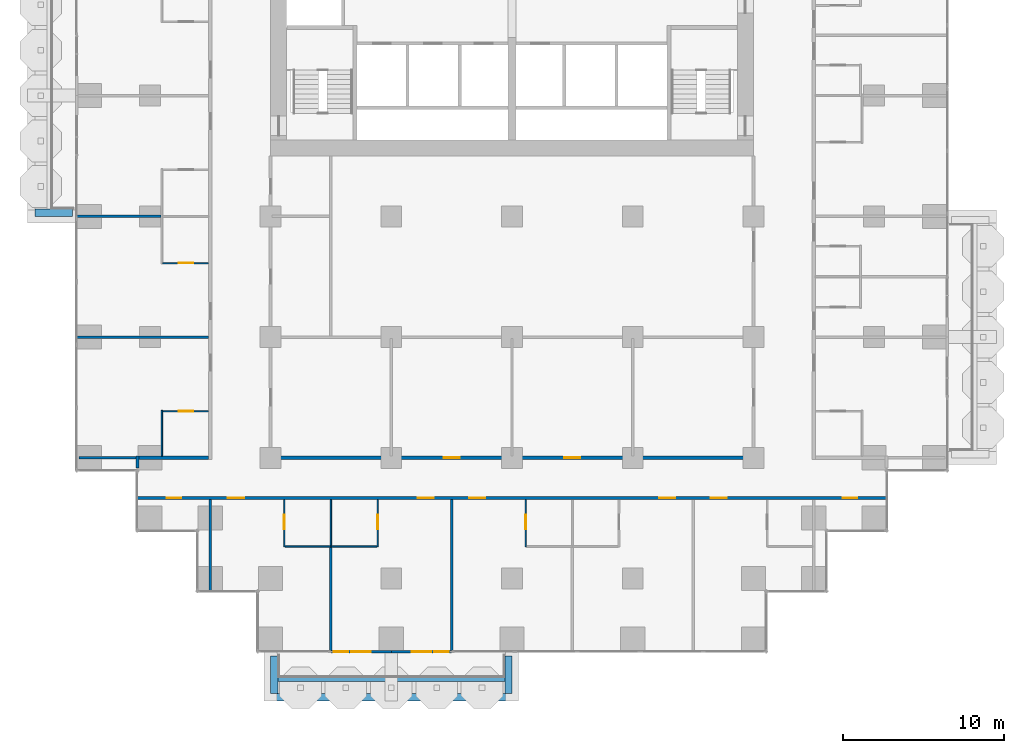
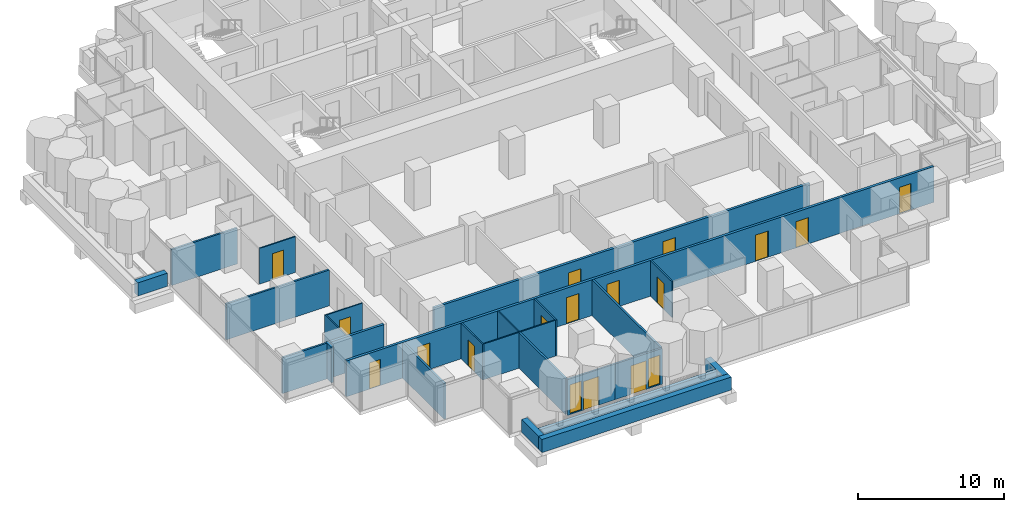
# One storey, part 10 of 18: 25 walls, 16 doors, 2 windows, 18 openings.
"""IFC4 building model written with IfcOpenShell, lengths in metres."""

from ifc_helpers import new_model, si_unit, direction, frame, frame_2d, origin, place, context, subcontext, project, spatial, rectangle, extrude, material, layer, layer_set, type_object, element, fill, save


model = new_model("IFC4")

# Units and contexts
model_context = context("Model", 3, precision=1e-05, world=origin(), true_north=direction((0.0, 1.0)))
body_context = subcontext(model_context, "Body", "Model", "MODEL_VIEW")
ifc_project = project(units=[si_unit("LENGTHUNIT", "METRE"), si_unit("AREAUNIT", "SQUARE_METRE"), si_unit("VOLUMEUNIT", "CUBIC_METRE"), si_unit("PLANEANGLEUNIT", "RADIAN"), si_unit("MASSUNIT", "GRAM", prefix="KILO")], contexts=[model_context])

# Site, building, storey
site_placement = place(None, origin())
site = spatial("IfcSite", under=ifc_project, at=site_placement, CompositionType="ELEMENT")
building_placement = place(site_placement, origin())
building = spatial("IfcBuilding", under=site, at=building_placement, Name="Pilkhan Gate Tower", CompositionType="ELEMENT")
storey_placement = place(building_placement, frame((0.0, 0.0, 56.0)))
storey = spatial("IfcBuildingStorey", under=building, at=storey_placement, Name="L11", CompositionType="ELEMENT", Elevation=56.0)

# Walls
ifc_material_1 = material(Name="Concrete C40/50", Category="concrete")
ifc_layer_1 = layer(ifc_material_1, 0.25)
ifc_layer_set_1 = layer_set([ifc_layer_1], Name="Balcony planter BP250")
wall_type_1 = type_object("IfcWallType", Name="Balcony planter BP250", PredefinedType="USERDEFINED", material=ifc_layer_set_1)
wall_1_placement = place(storey_placement, frame((60.449951171875, 38.72509765625, 0.0), z_axis=(0.0, 0.0, 1.0), x_axis=(1.0, 0.0, 0.0)))
element("IfcWall", 1, at=wall_1_placement, inside=storey, type_object=wall_type_1, Name="Balcony planter L11 S", ObjectType="BALCONY PLANTER", PredefinedType="USERDEFINED", context=body_context, shape_type="SweptSolid", body=[
    extrude(rectangle(XDim=14.10009765625, YDim=0.25, at=frame_2d((7.050048828125, 0.0))), origin(), (0.0, 0.0, 1.0), 1.0),
])
ifc_material_2 = material(Name="Board-marked Concrete C40/50", Category="concrete")
ifc_layer_2 = layer(ifc_material_2, 0.449951171875)
ifc_layer_set_2 = layer_set([ifc_layer_2], Name="Balcony planter lip BL450")
wall_type_2 = type_object("IfcWallType", Name="Balcony planter lip BL450", PredefinedType="USERDEFINED", material=ifc_layer_set_2)
wall_2_placement = place(storey_placement, frame((60.0, 37.625, 0.0), z_axis=(0.0, 0.0, 1.0), x_axis=(1.0, 0.0, 0.0)))
element("IfcWall", 2, at=wall_2_placement, inside=storey, type_object=wall_type_2, Name="Balcony planter L11 S", ObjectType="BALCONY PLANTER", PredefinedType="USERDEFINED", context=body_context, shape_type="SweptSolid", body=[
    extrude(rectangle(XDim=15.0, YDim=0.449951171875, at=frame_2d((7.5, 0.0))), origin(), (0.0, 0.0, 1.0), 1.10009765625),
])
for number, where, z_axis, x_axis, name in (
    (3, (60.22509765625, 40.199951171875, 0.0), (0.0, 0.0, 1.0), (0.0, -1.0, 0.0), "Balcony planter L11 S"),
    (4, (74.77490234375, 40.199951171875, 0.0), (0.0, 0.0, 1.0), (0.0, -1.0, 0.0), "Balcony planter L11 S"),
    (5, (47.699951171875, 67.72509765625, 0.0), (0.0, 0.0, 1.0), (-1.0, 0.0, 0.0), "Balcony planter L11 W"),
):
    element("IfcWall", number, at=place(storey_placement, frame(where, z_axis=z_axis, x_axis=x_axis)), inside=storey, type_object=wall_type_2, Name=name, ObjectType="BALCONY PLANTER", PredefinedType="USERDEFINED", context=body_context, shape_type="SweptSolid", body=[
        extrude(rectangle(XDim=2.349853515625, YDim=0.449951171875, at=frame_2d((1.1748046875, 0.0))), origin(), (0.0, 0.0, 1.0), 1.10009765625),
    ])

# Wall, openings, doors
ifc_material_3 = material(Name="Dense blockwork", Category="masonry")
ifc_layer_3 = layer(ifc_material_3, 0.199951171875)
ifc_layer_set_3 = layer_set([ifc_layer_3], Name="Corridor wall FW200")
wall_type_3 = type_object("IfcWallType", Name="Corridor wall FW200", PredefinedType="PARTITIONING", material=ifc_layer_set_3)
wall_3_placement = place(storey_placement, frame((51.735107421875, 50.0, 0.0), z_axis=(0.0, 0.0, 1.0), x_axis=(1.0, 0.0, 0.0)))
wall_3 = element("IfcWall", 6, at=wall_3_placement, inside=storey, type_object=wall_type_3, Name="Partition L11", PredefinedType="PARTITIONING", context=body_context, shape_type="SweptSolid", body=[
    extrude(rectangle(XDim=46.52978515625, YDim=0.199951171875, at=frame_2d((23.264892578125, 0.0))), origin(), (0.0, 0.0, 1.0), 3.0),
])
opening_1_placement = place(wall_3_placement, frame((5.614990234375, 0.0, 0.0)))
opening_1 = element("IfcOpeningElement", 7, at=opening_1_placement, cuts=wall_3, Name="Opening L11-06", PredefinedType="OPENING", context=body_context, shape_type="SweptSolid", body=[
    extrude(rectangle(XDim=1.0, YDim=2.199951171875, at=frame_2d((0.5, 1.10009765625))), frame((0.0, 0.10986328125, 0.0), z_axis=(0.0, -1.0, 0.0), x_axis=(1.0, 0.0, 0.0)), (0.0, 0.0, 1.0), 0.219970703125),
])
opening_2_placement = place(wall_3_placement, frame((17.4150390625, 0.0, 0.0)))
opening_2 = element("IfcOpeningElement", 8, at=opening_2_placement, cuts=wall_3, Name="Opening L11-08", PredefinedType="OPENING", context=body_context, shape_type="SweptSolid", body=[
    extrude(rectangle(XDim=1.0, YDim=2.199951171875, at=frame_2d((0.5, 1.10009765625))), frame((0.0, 0.10986328125, 0.0), z_axis=(0.0, -1.0, 0.0), x_axis=(1.0, 0.0, 0.0)), (0.0, 0.0, 1.0), 0.219970703125),
])
opening_3_placement = place(wall_3_placement, frame((20.614990234375, 0.0, 0.0)))
opening_3 = element("IfcOpeningElement", 9, at=opening_3_placement, cuts=wall_3, Name="Opening L11-10", PredefinedType="OPENING", context=body_context, shape_type="SweptSolid", body=[
    extrude(rectangle(XDim=1.0, YDim=2.199951171875, at=frame_2d((0.5, 1.10009765625))), frame((0.0, 0.10986328125, 0.0), z_axis=(0.0, -1.0, 0.0), x_axis=(1.0, 0.0, 0.0)), (0.0, 0.0, 1.0), 0.219970703125),
])
opening_4_placement = place(wall_3_placement, frame((32.4150390625, 0.0, 0.0)))
opening_4 = element("IfcOpeningElement", 10, at=opening_4_placement, cuts=wall_3, Name="Opening L11-12", PredefinedType="OPENING", context=body_context, shape_type="SweptSolid", body=[
    extrude(rectangle(XDim=1.0, YDim=2.199951171875, at=frame_2d((0.5, 1.10009765625))), frame((0.0, 0.10986328125, 0.0), z_axis=(0.0, -1.0, 0.0), x_axis=(1.0, 0.0, 0.0)), (0.0, 0.0, 1.0), 0.219970703125),
])
opening_5_placement = place(wall_3_placement, frame((35.614990234375, 0.0, 0.0)))
opening_5 = element("IfcOpeningElement", 11, at=opening_5_placement, cuts=wall_3, Name="Opening L11-14", PredefinedType="OPENING", context=body_context, shape_type="SweptSolid", body=[
    extrude(rectangle(XDim=1.0, YDim=2.199951171875, at=frame_2d((0.5, 1.10009765625))), frame((0.0, 0.10986328125, 0.0), z_axis=(0.0, -1.0, 0.0), x_axis=(1.0, 0.0, 0.0)), (0.0, 0.0, 1.0), 0.219970703125),
])
opening_6_placement = place(wall_3_placement, frame((1.800048828125, 0.0, 0.0)))
opening_6 = element("IfcOpeningElement", 12, at=opening_6_placement, cuts=wall_3, Name="Opening L11-44", PredefinedType="OPENING", context=body_context, shape_type="SweptSolid", body=[
    extrude(rectangle(XDim=0.89990234375, YDim=2.199951171875, at=frame_2d((0.449951171875, 1.10009765625))), frame((0.0, 0.10986328125, 0.0), z_axis=(0.0, -1.0, 0.0), x_axis=(1.0, 0.0, 0.0)), (0.0, 0.0, 1.0), 0.219970703125),
])
opening_7_placement = place(wall_3_placement, frame((43.81494140625, 0.0, 0.0)))
opening_7 = element("IfcOpeningElement", 13, at=opening_7_placement, cuts=wall_3, Name="Opening L11-45", PredefinedType="OPENING", context=body_context, shape_type="SweptSolid", body=[
    extrude(rectangle(XDim=0.89990234375, YDim=2.199951171875, at=frame_2d((0.449951171875, 1.10009765625))), frame((0.0, 0.10986328125, 0.0), z_axis=(0.0, -1.0, 0.0), x_axis=(1.0, 0.0, 0.0)), (0.0, 0.0, 1.0), 0.219970703125),
])
ifc_material_4 = material(Name="Timber flush door, 30 minute fire resisting", Category="wood")
door_type_1 = type_object("IfcDoorType", Name="Guest room door D01 1000x2200", OperationType="SINGLE_SWING_LEFT", PredefinedType="DOOR", material=ifc_material_4)
door_1_placement = place(opening_1_placement, origin())
door_1 = element("IfcDoor", 14, at=door_1_placement, inside=storey, type_object=door_type_1, Name="Guest room door", OperationType="SINGLE_SWING_LEFT", OverallHeight=2.199951171875, OverallWidth=1.0, PredefinedType="DOOR", context=body_context, shape_type="SweptSolid", body=[
    extrude(rectangle(XDim=1.0, YDim=2.199951171875, at=frame_2d((0.5, 1.10009765625))), frame((0.0, 0.02490234375, 0.0), z_axis=(0.0, -1.0, 0.0), x_axis=(1.0, 0.0, 0.0)), (0.0, 0.0, 1.0), 0.050048828125),
])
fill(opening_1, door_1)
door_2_placement = place(opening_2_placement, origin())
door_2 = element("IfcDoor", 15, at=door_2_placement, inside=storey, type_object=door_type_1, Name="Guest room door", OperationType="SINGLE_SWING_LEFT", OverallHeight=2.199951171875, OverallWidth=1.0, PredefinedType="DOOR", context=body_context, shape_type="SweptSolid", body=[
    extrude(rectangle(XDim=1.0, YDim=2.199951171875, at=frame_2d((0.5, 1.10009765625))), frame((0.0, 0.02490234375, 0.0), z_axis=(0.0, -1.0, 0.0), x_axis=(1.0, 0.0, 0.0)), (0.0, 0.0, 1.0), 0.050048828125),
])
fill(opening_2, door_2)
door_3_placement = place(opening_3_placement, origin())
door_3 = element("IfcDoor", 16, at=door_3_placement, inside=storey, type_object=door_type_1, Name="Guest room door", OperationType="SINGLE_SWING_RIGHT", OverallHeight=2.199951171875, OverallWidth=1.0, PredefinedType="DOOR", context=body_context, shape_type="SweptSolid", body=[
    extrude(rectangle(XDim=1.0, YDim=2.199951171875, at=frame_2d((0.5, 1.10009765625))), frame((0.0, 0.02490234375, 0.0), z_axis=(0.0, -1.0, 0.0), x_axis=(1.0, 0.0, 0.0)), (0.0, 0.0, 1.0), 0.050048828125),
])
fill(opening_3, door_3)
door_4_placement = place(opening_4_placement, origin())
door_4 = element("IfcDoor", 17, at=door_4_placement, inside=storey, type_object=door_type_1, Name="Guest room door", OperationType="SINGLE_SWING_LEFT", OverallHeight=2.199951171875, OverallWidth=1.0, PredefinedType="DOOR", context=body_context, shape_type="SweptSolid", body=[
    extrude(rectangle(XDim=1.0, YDim=2.199951171875, at=frame_2d((0.5, 1.10009765625))), frame((0.0, 0.02490234375, 0.0), z_axis=(0.0, -1.0, 0.0), x_axis=(1.0, 0.0, 0.0)), (0.0, 0.0, 1.0), 0.050048828125),
])
fill(opening_4, door_4)
door_5_placement = place(opening_5_placement, origin())
door_5 = element("IfcDoor", 18, at=door_5_placement, inside=storey, type_object=door_type_1, Name="Guest room door", OperationType="SINGLE_SWING_LEFT", OverallHeight=2.199951171875, OverallWidth=1.0, PredefinedType="DOOR", context=body_context, shape_type="SweptSolid", body=[
    extrude(rectangle(XDim=1.0, YDim=2.199951171875, at=frame_2d((0.5, 1.10009765625))), frame((0.0, 0.02490234375, 0.0), z_axis=(0.0, -1.0, 0.0), x_axis=(1.0, 0.0, 0.0)), (0.0, 0.0, 1.0), 0.050048828125),
])
fill(opening_5, door_5)
ifc_material_5 = material(Name="Timber flush door, 60 minute fire resisting, self-closing", Category="wood")
door_type_2 = type_object("IfcDoorType", Name="Store door D05 900x2200", OperationType="SINGLE_SWING_LEFT", PredefinedType="DOOR", material=ifc_material_5)
door_6_placement = place(opening_6_placement, origin())
door_6 = element("IfcDoor", 19, at=door_6_placement, inside=storey, type_object=door_type_2, Name="Store door", OperationType="SINGLE_SWING_RIGHT", OverallHeight=2.199951171875, OverallWidth=0.89990234375, PredefinedType="DOOR", context=body_context, shape_type="SweptSolid", body=[
    extrude(rectangle(XDim=0.89990234375, YDim=2.199951171875, at=frame_2d((0.449951171875, 1.10009765625))), frame((0.0, 0.02490234375, 0.0), z_axis=(0.0, -1.0, 0.0), x_axis=(1.0, 0.0, 0.0)), (0.0, 0.0, 1.0), 0.050048828125),
])
fill(opening_6, door_6)
door_7_placement = place(opening_7_placement, origin())
door_7 = element("IfcDoor", 20, at=door_7_placement, inside=storey, type_object=door_type_2, Name="Store door", OperationType="SINGLE_SWING_LEFT", OverallHeight=2.199951171875, OverallWidth=0.89990234375, PredefinedType="DOOR", context=body_context, shape_type="SweptSolid", body=[
    extrude(rectangle(XDim=0.89990234375, YDim=2.199951171875, at=frame_2d((0.449951171875, 1.10009765625))), frame((0.0, 0.02490234375, 0.0), z_axis=(0.0, -1.0, 0.0), x_axis=(1.0, 0.0, 0.0)), (0.0, 0.0, 1.0), 0.050048828125),
])
fill(opening_7, door_7)

# Wall
wall_4_placement = place(storey_placement, frame((51.8349609375, 52.5, 0.0), z_axis=(0.0, 0.0, 1.0), x_axis=(1.0, 0.0, 0.0)))
element("IfcWall", 21, at=wall_4_placement, inside=storey, type_object=wall_type_3, Name="Partition L11", PredefinedType="PARTITIONING", context=body_context, shape_type="SweptSolid", body=[
    extrude(rectangle(XDim=4.31494140625, YDim=0.199951171875, at=frame_2d((2.157470703125, 0.0))), origin(), (0.0, 0.0, 1.0), 3.0),
])

# Wall, openings, doors
wall_5_placement = place(storey_placement, frame((60.10009765625, 52.5, 0.0), z_axis=(0.0, 0.0, 1.0), x_axis=(1.0, 0.0, 0.0)))
wall_5 = element("IfcWall", 22, at=wall_5_placement, inside=storey, type_object=wall_type_3, Name="Partition L11", PredefinedType="PARTITIONING", context=body_context, shape_type="SweptSolid", body=[
    extrude(rectangle(XDim=29.7998046875, YDim=0.199951171875, at=frame_2d((14.89990234375, 0.0))), origin(), (0.0, 0.0, 1.0), 3.0),
])
opening_8_placement = place(wall_5_placement, frame((10.64990234375, 0.0, 0.0)))
opening_8 = element("IfcOpeningElement", 23, at=opening_8_placement, cuts=wall_5, Name="Opening L11-49", PredefinedType="OPENING", context=body_context, shape_type="SweptSolid", body=[
    extrude(rectangle(XDim=1.0, YDim=2.199951171875, at=frame_2d((0.5, 1.10009765625))), frame((0.0, 0.10986328125, 0.0), z_axis=(0.0, -1.0, 0.0), x_axis=(1.0, 0.0, 0.0)), (0.0, 0.0, 1.0), 0.219970703125),
])
opening_9_placement = place(wall_5_placement, frame((18.14990234375, 0.0, 0.0)))
opening_9 = element("IfcOpeningElement", 24, at=opening_9_placement, cuts=wall_5, Name="Opening L11-50", PredefinedType="OPENING", context=body_context, shape_type="SweptSolid", body=[
    extrude(rectangle(XDim=1.0, YDim=2.199951171875, at=frame_2d((0.5, 1.10009765625))), frame((0.0, 0.10986328125, 0.0), z_axis=(0.0, -1.0, 0.0), x_axis=(1.0, 0.0, 0.0)), (0.0, 0.0, 1.0), 0.219970703125),
])
door_type_3 = type_object("IfcDoorType", Name="Room door D03 1000x2200", OperationType="SINGLE_SWING_LEFT", PredefinedType="DOOR", material=ifc_material_4)
door_8_placement = place(opening_8_placement, origin())
door_8 = element("IfcDoor", 25, at=door_8_placement, inside=storey, type_object=door_type_3, Name="Room door", OperationType="SINGLE_SWING_LEFT", OverallHeight=2.199951171875, OverallWidth=1.0, PredefinedType="DOOR", context=body_context, shape_type="SweptSolid", body=[
    extrude(rectangle(XDim=1.0, YDim=2.199951171875, at=frame_2d((0.5, 1.10009765625))), frame((0.0, 0.02490234375, 0.0), z_axis=(0.0, -1.0, 0.0), x_axis=(1.0, 0.0, 0.0)), (0.0, 0.0, 1.0), 0.050048828125),
])
fill(opening_8, door_8)
door_9_placement = place(opening_9_placement, origin())
door_9 = element("IfcDoor", 26, at=door_9_placement, inside=storey, type_object=door_type_3, Name="Room door", OperationType="SINGLE_SWING_RIGHT", OverallHeight=2.199951171875, OverallWidth=1.0, PredefinedType="DOOR", context=body_context, shape_type="SweptSolid", body=[
    extrude(rectangle(XDim=1.0, YDim=2.199951171875, at=frame_2d((0.5, 1.10009765625))), frame((0.0, 0.02490234375, 0.0), z_axis=(0.0, -1.0, 0.0), x_axis=(1.0, 0.0, 0.0)), (0.0, 0.0, 1.0), 0.050048828125),
])
fill(opening_9, door_9)

# Wall
wall_6_placement = place(storey_placement, frame((51.735107421875, 51.85498046875, 0.0), z_axis=(0.0, 0.0, 1.0), x_axis=(0.0, 1.0, 0.0)))
element("IfcWall", 27, at=wall_6_placement, inside=storey, type_object=wall_type_3, Name="Partition L11", PredefinedType="PARTITIONING", context=body_context, shape_type="SweptSolid", body=[
    extrude(rectangle(XDim=0.7451171875, YDim=0.199951171875, at=frame_2d((0.37255859375, 0.0))), origin(), (0.0, 0.0, 1.0), 3.0),
])

# Wall, openings, door, window
ifc_material_6 = material(Name="Pale anodised aluminium, clear laminated glazing", Category="aluminium")
ifc_layer_4 = layer(ifc_material_6, 0.14990234375)
ifc_layer_set_4 = layer_set([ifc_layer_4], Name="Facade infill wall IW150")
wall_type_4 = type_object("IfcWallType", Name="Facade infill wall IW150", PredefinedType="SOLIDWALL", material=ifc_layer_set_4)
wall_7_placement = place(storey_placement, frame((63.75, 40.455078125, 0.0), z_axis=(0.0, 0.0, 1.0), x_axis=(1.0, 0.0, 0.0)))
wall_7 = element("IfcWall", 28, at=wall_7_placement, inside=storey, type_object=wall_type_4, Name="Infill wall L11 S", PredefinedType="SOLIDWALL", context=body_context, shape_type="SweptSolid", body=[
    extrude(rectangle(XDim=3.75, YDim=0.14990234375, at=frame_2d((1.875, 0.0))), origin(), (0.0, 0.0, 1.0), 3.0),
])
opening_10_placement = place(wall_7_placement, frame((0.1875, 0.0, 0.10009765625)))
opening_10 = element("IfcOpeningElement", 29, at=opening_10_placement, cuts=wall_7, Name="Opening W1", PredefinedType="OPENING", context=body_context, shape_type="SweptSolid", body=[
    extrude(rectangle(XDim=0.89990234375, YDim=2.39990234375, at=frame_2d((0.449951171875, 1.199951171875))), frame((0.0, 0.0849609375, 0.0), z_axis=(0.0, -1.0, 0.0), x_axis=(1.0, 0.0, 0.0)), (0.0, 0.0, 1.0), 0.169921875),
])
opening_11_placement = place(wall_7_placement, frame((1.27490234375, 0.0, 0.0)))
opening_11 = element("IfcOpeningElement", 30, at=opening_11_placement, cuts=wall_7, Name="Opening D1", PredefinedType="OPENING", context=body_context, shape_type="SweptSolid", body=[
    extrude(rectangle(XDim=1.199951171875, YDim=2.39990234375, at=frame_2d((0.60009765625, 1.199951171875))), frame((0.0, 0.0849609375, 0.0), z_axis=(0.0, -1.0, 0.0), x_axis=(1.0, 0.0, 0.0)), (0.0, 0.0, 1.0), 0.169921875),
])
ifc_material_7 = material(Name="Pale anodised aluminium, clear glazing", Category="aluminium")
door_type_4 = type_object("IfcDoorType", Name="Balcony door D1 1200x2400", OperationType="SINGLE_SWING_LEFT", PredefinedType="DOOR", material=ifc_material_7)
door_10_placement = place(opening_11_placement, origin())
door_10 = element("IfcDoor", 31, at=door_10_placement, inside=storey, type_object=door_type_4, Name="Balcony door L11", OperationType="SINGLE_SWING_LEFT", OverallHeight=2.39990234375, OverallWidth=1.199951171875, PredefinedType="DOOR", context=body_context, shape_type="SweptSolid", body=[
    extrude(rectangle(XDim=1.199951171875, YDim=2.39990234375, at=frame_2d((0.60009765625, 1.199951171875))), frame((0.0, 0.02490234375, 0.0), z_axis=(0.0, -1.0, 0.0), x_axis=(1.0, 0.0, 0.0)), (0.0, 0.0, 1.0), 0.050048828125),
])
fill(opening_11, door_10)
ifc_material_8 = material(Name="Pale anodised aluminium, clear double glazing", Category="aluminium")
window_type = type_object("IfcWindowType", Name="Window W1 900x2400", PartitioningType="SINGLE_PANEL", PredefinedType="WINDOW", material=ifc_material_8)
window_1_placement = place(opening_10_placement, origin())
window_1 = element("IfcWindow", 32, at=window_1_placement, inside=storey, type_object=window_type, Name="Window L11", OverallHeight=2.39990234375, OverallWidth=0.89990234375, PartitioningType="SINGLE_PANEL", PredefinedType="WINDOW", context=body_context, shape_type="SweptSolid", body=[
    extrude(rectangle(XDim=0.89990234375, YDim=2.39990234375, at=frame_2d((0.449951171875, 1.199951171875))), frame((0.0, 0.030029296875, 0.0), z_axis=(0.0, -1.0, 0.0), x_axis=(1.0, 0.0, 0.0)), (0.0, 0.0, 1.0), 0.06005859375),
])
fill(opening_10, window_1)

wall_8_placement = place(storey_placement, frame((67.5, 40.455078125, 0.0), z_axis=(0.0, 0.0, 1.0), x_axis=(1.0, 0.0, 0.0)))
wall_8 = element("IfcWall", 33, at=wall_8_placement, inside=storey, type_object=wall_type_4, Name="Infill wall L11 S", PredefinedType="SOLIDWALL", context=body_context, shape_type="SweptSolid", body=[
    extrude(rectangle(XDim=3.75, YDim=0.14990234375, at=frame_2d((1.875, 0.0))), origin(), (0.0, 0.0, 1.0), 3.0),
])
opening_12_placement = place(wall_8_placement, frame((1.27490234375, 0.0, 0.0)))
opening_12 = element("IfcOpeningElement", 34, at=opening_12_placement, cuts=wall_8, Name="Opening D1", PredefinedType="OPENING", context=body_context, shape_type="SweptSolid", body=[
    extrude(rectangle(XDim=1.199951171875, YDim=2.39990234375, at=frame_2d((0.60009765625, 1.199951171875))), frame((0.0, 0.0849609375, 0.0), z_axis=(0.0, -1.0, 0.0), x_axis=(1.0, 0.0, 0.0)), (0.0, 0.0, 1.0), 0.169921875),
])
opening_13_placement = place(wall_8_placement, frame((2.66259765625, 0.0, 0.10009765625)))
opening_13 = element("IfcOpeningElement", 35, at=opening_13_placement, cuts=wall_8, Name="Opening W1", PredefinedType="OPENING", context=body_context, shape_type="SweptSolid", body=[
    extrude(rectangle(XDim=0.89990234375, YDim=2.39990234375, at=frame_2d((0.449951171875, 1.199951171875))), frame((0.0, 0.0849609375, 0.0), z_axis=(0.0, -1.0, 0.0), x_axis=(1.0, 0.0, 0.0)), (0.0, 0.0, 1.0), 0.169921875),
])
door_11_placement = place(opening_12_placement, origin())
door_11 = element("IfcDoor", 36, at=door_11_placement, inside=storey, type_object=door_type_4, Name="Balcony door L11", OperationType="SINGLE_SWING_LEFT", OverallHeight=2.39990234375, OverallWidth=1.199951171875, PredefinedType="DOOR", context=body_context, shape_type="SweptSolid", body=[
    extrude(rectangle(XDim=1.199951171875, YDim=2.39990234375, at=frame_2d((0.60009765625, 1.199951171875))), frame((0.0, 0.02490234375, 0.0), z_axis=(0.0, -1.0, 0.0), x_axis=(1.0, 0.0, 0.0)), (0.0, 0.0, 1.0), 0.050048828125),
])
fill(opening_12, door_11)
window_2_placement = place(opening_13_placement, origin())
window_2 = element("IfcWindow", 37, at=window_2_placement, inside=storey, type_object=window_type, Name="Window L11", OverallHeight=2.39990234375, OverallWidth=0.89990234375, PartitioningType="SINGLE_PANEL", PredefinedType="WINDOW", context=body_context, shape_type="SweptSolid", body=[
    extrude(rectangle(XDim=0.89990234375, YDim=2.39990234375, at=frame_2d((0.449951171875, 1.199951171875))), frame((0.0, 0.030029296875, 0.0), z_axis=(0.0, -1.0, 0.0), x_axis=(1.0, 0.0, 0.0)), (0.0, 0.0, 1.0), 0.06005859375),
])
fill(opening_13, window_2)

# Walls
ifc_material_9 = material(Name="Blockwork partition, plastered both sides", Category="masonry")
ifc_layer_5 = layer(ifc_material_9, 0.14990234375)
ifc_layer_set_5 = layer_set([ifc_layer_5], Name="Partition PW150")
wall_type_5 = type_object("IfcWallType", Name="Partition PW150", PredefinedType="PARTITIONING", material=ifc_layer_set_5)
wall_9_placement = place(storey_placement, frame((48.10498046875, 52.5, 0.0), z_axis=(0.0, 0.0, 1.0), x_axis=(1.0, 0.0, 0.0)))
element("IfcWall", 38, at=wall_9_placement, inside=storey, type_object=wall_type_5, Name="Partition L11", PredefinedType="PARTITIONING", context=body_context, shape_type="SweptSolid", body=[
    extrude(rectangle(XDim=3.530029296875, YDim=0.14990234375, at=frame_2d((1.76513671875, 0.0))), origin(), (0.0, 0.0, 1.0), 3.0),
])
wall_10_placement = place(storey_placement, frame((47.985107421875, 60.0, 0.0), z_axis=(0.0, 0.0, 1.0), x_axis=(1.0, 0.0, 0.0)))
element("IfcWall", 39, at=wall_10_placement, inside=storey, type_object=wall_type_5, Name="Partition L11", PredefinedType="PARTITIONING", context=body_context, shape_type="SweptSolid", body=[
    extrude(rectangle(XDim=8.164794921875, YDim=0.14990234375, at=frame_2d((4.08251953125, 0.0))), origin(), (0.0, 0.0, 1.0), 3.0),
])
wall_11_placement = place(storey_placement, frame((47.985107421875, 67.5, 0.0), z_axis=(0.0, 0.0, 1.0), x_axis=(1.0, 0.0, 0.0)))
element("IfcWall", 40, at=wall_11_placement, inside=storey, type_object=wall_type_5, Name="Partition L11", PredefinedType="PARTITIONING", context=body_context, shape_type="SweptSolid", body=[
    extrude(rectangle(XDim=5.21484375, YDim=0.14990234375, at=frame_2d((2.607421875, 0.0))), origin(), (0.0, 0.0, 1.0), 3.0),
])
wall_12_placement = place(storey_placement, frame((56.25, 44.235107421875, 0.0), z_axis=(0.0, 0.0, 1.0), x_axis=(0.0, 1.0, 0.0)))
element("IfcWall", 41, at=wall_12_placement, inside=storey, type_object=wall_type_5, Name="Partition L11", PredefinedType="PARTITIONING", context=body_context, shape_type="SweptSolid", body=[
    extrude(rectangle(XDim=5.664794921875, YDim=0.14990234375, at=frame_2d((2.83251953125, 0.0))), origin(), (0.0, 0.0, 1.0), 3.0),
])
wall_13_placement = place(storey_placement, frame((63.75, 40.5400390625, 0.0), z_axis=(0.0, 0.0, 1.0), x_axis=(0.0, 1.0, 0.0)))
element("IfcWall", 42, at=wall_13_placement, inside=storey, type_object=wall_type_5, Name="Partition L11", PredefinedType="PARTITIONING", context=body_context, shape_type="SweptSolid", body=[
    extrude(rectangle(XDim=6.409912109375, YDim=0.14990234375, at=frame_2d((3.205078125, 0.0))), origin(), (0.0, 0.0, 1.0), 3.0),
])
wall_14_placement = place(storey_placement, frame((71.25, 40.5400390625, 0.0), z_axis=(0.0, 0.0, 1.0), x_axis=(0.0, 1.0, 0.0)))
element("IfcWall", 43, at=wall_14_placement, inside=storey, type_object=wall_type_5, Name="Partition L11", PredefinedType="PARTITIONING", context=body_context, shape_type="SweptSolid", body=[
    extrude(rectangle(XDim=9.35986328125, YDim=0.14990234375, at=frame_2d((4.679931640625, 0.0))), origin(), (0.0, 0.0, 1.0), 3.0),
])
ifc_material_10 = material(Name="Moisture resistant board, tiled")
ifc_layer_6 = layer(ifc_material_10, 0.10009765625)
ifc_layer_set_6 = layer_set([ifc_layer_6], Name="Wet wall PW100")
wall_type_6 = type_object("IfcWallType", Name="Wet wall PW100", PredefinedType="PARTITIONING", material=ifc_layer_set_6)
wall_15_placement = place(storey_placement, frame((60.89990234375, 47.0, 0.0), z_axis=(0.0, 0.0, 1.0), x_axis=(1.0, 0.0, 0.0)))
element("IfcWall", 44, at=wall_15_placement, inside=storey, type_object=wall_type_6, Name="Partition L11", PredefinedType="PARTITIONING", context=body_context, shape_type="SweptSolid", body=[
    extrude(rectangle(XDim=5.7001953125, YDim=0.10009765625, at=frame_2d((2.85009765625, 0.0))), origin(), (0.0, 0.0, 1.0), 3.0),
])

# Wall, opening, door
wall_16_placement = place(storey_placement, frame((53.300048828125, 55.39990234375, 0.0), z_axis=(0.0, 0.0, 1.0), x_axis=(1.0, 0.0, 0.0)))
wall_16 = element("IfcWall", 45, at=wall_16_placement, inside=storey, type_object=wall_type_6, Name="Partition L11", PredefinedType="PARTITIONING", context=body_context, shape_type="SweptSolid", body=[
    extrude(rectangle(XDim=2.849853515625, YDim=0.10009765625, at=frame_2d((1.4248046875, 0.0))), origin(), (0.0, 0.0, 1.0), 3.0),
])
opening_14_placement = place(wall_16_placement, frame((1.0, 0.0, 0.0)))
opening_14 = element("IfcOpeningElement", 46, at=opening_14_placement, cuts=wall_16, Name="Opening L11-17", PredefinedType="OPENING", context=body_context, shape_type="SweptSolid", body=[
    extrude(rectangle(XDim=0.89990234375, YDim=2.199951171875, at=frame_2d((0.449951171875, 1.10009765625))), frame((0.0, 0.06005859375, 0.0), z_axis=(0.0, -1.0, 0.0), x_axis=(1.0, 0.0, 0.0)), (0.0, 0.0, 1.0), 0.1201171875),
])
ifc_material_11 = material(Name="Timber flush door", Category="wood")
door_type_5 = type_object("IfcDoorType", Name="Bathroom door D02 900x2200", OperationType="SINGLE_SWING_RIGHT", PredefinedType="DOOR", material=ifc_material_11)
door_12_placement = place(opening_14_placement, origin())
door_12 = element("IfcDoor", 47, at=door_12_placement, inside=storey, type_object=door_type_5, Name="Bathroom door", OperationType="SINGLE_SWING_RIGHT", OverallHeight=2.199951171875, OverallWidth=0.89990234375, PredefinedType="DOOR", context=body_context, shape_type="SweptSolid", body=[
    extrude(rectangle(XDim=0.89990234375, YDim=2.199951171875, at=frame_2d((0.449951171875, 1.10009765625))), frame((0.0, 0.02490234375, 0.0), z_axis=(0.0, -1.0, 0.0), x_axis=(1.0, 0.0, 0.0)), (0.0, 0.0, 1.0), 0.050048828125),
])
fill(opening_14, door_12)

wall_17_placement = place(storey_placement, frame((53.300048828125, 64.60009765625, 0.0), z_axis=(0.0, 0.0, 1.0), x_axis=(1.0, 0.0, 0.0)))
wall_17 = element("IfcWall", 48, at=wall_17_placement, inside=storey, type_object=wall_type_6, Name="Partition L11", PredefinedType="PARTITIONING", context=body_context, shape_type="SweptSolid", body=[
    extrude(rectangle(XDim=2.849853515625, YDim=0.10009765625, at=frame_2d((1.4248046875, 0.0))), origin(), (0.0, 0.0, 1.0), 3.0),
])
opening_15_placement = place(wall_17_placement, frame((1.0, 0.0, 0.0)))
opening_15 = element("IfcOpeningElement", 49, at=opening_15_placement, cuts=wall_17, Name="Opening L11-19", PredefinedType="OPENING", context=body_context, shape_type="SweptSolid", body=[
    extrude(rectangle(XDim=0.89990234375, YDim=2.199951171875, at=frame_2d((0.449951171875, 1.10009765625))), frame((0.0, 0.06005859375, 0.0), z_axis=(0.0, -1.0, 0.0), x_axis=(1.0, 0.0, 0.0)), (0.0, 0.0, 1.0), 0.1201171875),
])
door_13_placement = place(opening_15_placement, origin())
door_13 = element("IfcDoor", 50, at=door_13_placement, inside=storey, type_object=door_type_5, Name="Bathroom door", OperationType="SINGLE_SWING_RIGHT", OverallHeight=2.199951171875, OverallWidth=0.89990234375, PredefinedType="DOOR", context=body_context, shape_type="SweptSolid", body=[
    extrude(rectangle(XDim=0.89990234375, YDim=2.199951171875, at=frame_2d((0.449951171875, 1.10009765625))), frame((0.0, 0.02490234375, 0.0), z_axis=(0.0, -1.0, 0.0), x_axis=(1.0, 0.0, 0.0)), (0.0, 0.0, 1.0), 0.050048828125),
])
fill(opening_15, door_13)

# Wall
wall_18_placement = place(storey_placement, frame((53.25, 52.60009765625, 0.0), z_axis=(0.0, 0.0, 1.0), x_axis=(0.0, 1.0, 0.0)))
element("IfcWall", 51, at=wall_18_placement, inside=storey, type_object=wall_type_6, Name="Partition L11", PredefinedType="PARTITIONING", context=body_context, shape_type="SweptSolid", body=[
    extrude(rectangle(XDim=2.849853515625, YDim=0.10009765625, at=frame_2d((1.4248046875, 0.0))), origin(), (0.0, 0.0, 1.0), 3.0),
])

# Wall, opening, door
wall_19_placement = place(storey_placement, frame((60.85009765625, 46.949951171875, 0.0), z_axis=(0.0, 0.0, 1.0), x_axis=(0.0, 1.0, 0.0)))
wall_19 = element("IfcWall", 52, at=wall_19_placement, inside=storey, type_object=wall_type_6, Name="Partition L11", PredefinedType="PARTITIONING", context=body_context, shape_type="SweptSolid", body=[
    extrude(rectangle(XDim=2.949951171875, YDim=0.10009765625, at=frame_2d((1.47509765625, 0.0))), origin(), (0.0, 0.0, 1.0), 3.0),
])
opening_16_placement = place(wall_19_placement, frame((1.10009765625, 0.0, 0.0)))
opening_16 = element("IfcOpeningElement", 53, at=opening_16_placement, cuts=wall_19, Name="Opening L11-07", PredefinedType="OPENING", context=body_context, shape_type="SweptSolid", body=[
    extrude(rectangle(XDim=0.89990234375, YDim=2.199951171875, at=frame_2d((0.449951171875, 1.10009765625))), frame((0.0, 0.06005859375, 0.0), z_axis=(0.0, -1.0, 0.0), x_axis=(1.0, 0.0, 0.0)), (0.0, 0.0, 1.0), 0.1201171875),
])
door_14_placement = place(opening_16_placement, origin())
door_14 = element("IfcDoor", 54, at=door_14_placement, inside=storey, type_object=door_type_5, Name="Bathroom door", OperationType="SINGLE_SWING_RIGHT", OverallHeight=2.199951171875, OverallWidth=0.89990234375, PredefinedType="DOOR", context=body_context, shape_type="SweptSolid", body=[
    extrude(rectangle(XDim=0.89990234375, YDim=2.199951171875, at=frame_2d((0.449951171875, 1.10009765625))), frame((0.0, 0.02490234375, 0.0), z_axis=(0.0, -1.0, 0.0), x_axis=(1.0, 0.0, 0.0)), (0.0, 0.0, 1.0), 0.050048828125),
])
fill(opening_16, door_14)

# Wall
wall_20_placement = place(storey_placement, frame((63.75, 47.050048828125, 0.0), z_axis=(0.0, 0.0, 1.0), x_axis=(0.0, 1.0, 0.0)))
element("IfcWall", 55, at=wall_20_placement, inside=storey, type_object=wall_type_6, Name="Partition L11", PredefinedType="PARTITIONING", context=body_context, shape_type="SweptSolid", body=[
    extrude(rectangle(XDim=2.849853515625, YDim=0.10009765625, at=frame_2d((1.4248046875, 0.0))), origin(), (0.0, 0.0, 1.0), 3.0),
])

# Wall, opening, door
wall_21_placement = place(storey_placement, frame((66.64990234375, 46.949951171875, 0.0), z_axis=(0.0, 0.0, 1.0), x_axis=(0.0, 1.0, 0.0)))
wall_21 = element("IfcWall", 56, at=wall_21_placement, inside=storey, type_object=wall_type_6, Name="Partition L11", PredefinedType="PARTITIONING", context=body_context, shape_type="SweptSolid", body=[
    extrude(rectangle(XDim=2.949951171875, YDim=0.10009765625, at=frame_2d((1.47509765625, 0.0))), origin(), (0.0, 0.0, 1.0), 3.0),
])
opening_17_placement = place(wall_21_placement, frame((1.10009765625, 0.0, 0.0)))
opening_17 = element("IfcOpeningElement", 57, at=opening_17_placement, cuts=wall_21, Name="Opening L11-09", PredefinedType="OPENING", context=body_context, shape_type="SweptSolid", body=[
    extrude(rectangle(XDim=0.89990234375, YDim=2.199951171875, at=frame_2d((0.449951171875, 1.10009765625))), frame((0.0, 0.06005859375, 0.0), z_axis=(0.0, -1.0, 0.0), x_axis=(1.0, 0.0, 0.0)), (0.0, 0.0, 1.0), 0.1201171875),
])
door_15_placement = place(opening_17_placement, origin())
door_15 = element("IfcDoor", 58, at=door_15_placement, inside=storey, type_object=door_type_5, Name="Bathroom door", OperationType="SINGLE_SWING_RIGHT", OverallHeight=2.199951171875, OverallWidth=0.89990234375, PredefinedType="DOOR", context=body_context, shape_type="SweptSolid", body=[
    extrude(rectangle(XDim=0.89990234375, YDim=2.199951171875, at=frame_2d((0.449951171875, 1.10009765625))), frame((0.0, 0.02490234375, 0.0), z_axis=(0.0, -1.0, 0.0), x_axis=(1.0, 0.0, 0.0)), (0.0, 0.0, 1.0), 0.050048828125),
])
fill(opening_17, door_15)

wall_22_placement = place(storey_placement, frame((75.85009765625, 46.949951171875, 0.0), z_axis=(0.0, 0.0, 1.0), x_axis=(0.0, 1.0, 0.0)))
wall_22 = element("IfcWall", 59, at=wall_22_placement, inside=storey, type_object=wall_type_6, Name="Partition L11", PredefinedType="PARTITIONING", context=body_context, shape_type="SweptSolid", body=[
    extrude(rectangle(XDim=2.949951171875, YDim=0.10009765625, at=frame_2d((1.47509765625, 0.0))), origin(), (0.0, 0.0, 1.0), 3.0),
])
opening_18_placement = place(wall_22_placement, frame((1.10009765625, 0.0, 0.0)))
opening_18 = element("IfcOpeningElement", 60, at=opening_18_placement, cuts=wall_22, Name="Opening L11-11", PredefinedType="OPENING", context=body_context, shape_type="SweptSolid", body=[
    extrude(rectangle(XDim=0.89990234375, YDim=2.199951171875, at=frame_2d((0.449951171875, 1.10009765625))), frame((0.0, 0.06005859375, 0.0), z_axis=(0.0, -1.0, 0.0), x_axis=(1.0, 0.0, 0.0)), (0.0, 0.0, 1.0), 0.1201171875),
])
door_16_placement = place(opening_18_placement, origin())
door_16 = element("IfcDoor", 61, at=door_16_placement, inside=storey, type_object=door_type_5, Name="Bathroom door", OperationType="SINGLE_SWING_RIGHT", OverallHeight=2.199951171875, OverallWidth=0.89990234375, PredefinedType="DOOR", context=body_context, shape_type="SweptSolid", body=[
    extrude(rectangle(XDim=0.89990234375, YDim=2.199951171875, at=frame_2d((0.449951171875, 1.10009765625))), frame((0.0, 0.02490234375, 0.0), z_axis=(0.0, -1.0, 0.0), x_axis=(1.0, 0.0, 0.0)), (0.0, 0.0, 1.0), 0.050048828125),
])
fill(opening_18, door_16)

save(model, "model.ifc")
